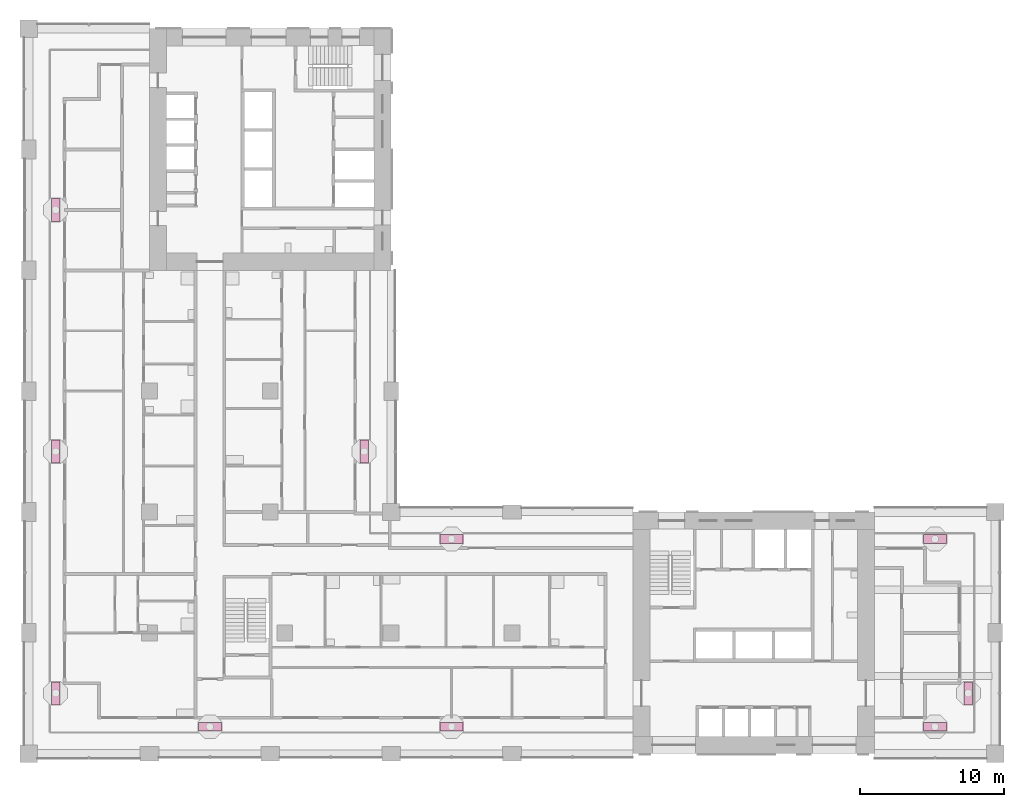
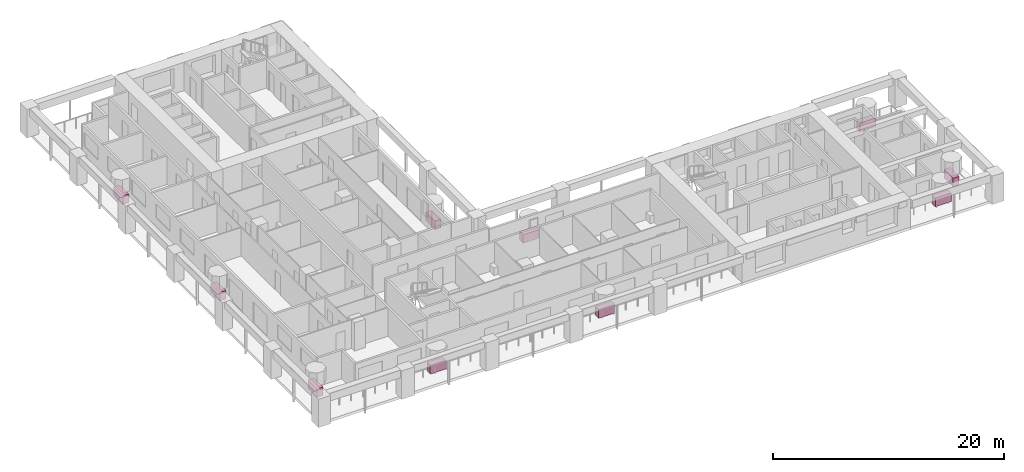
# One storey, part 17 of 18: 10 furniture elements.
"""IFC4 building model written with IfcOpenShell, lengths in metres."""

from ifc_helpers import new_model, si_unit, direction, frame, origin, origin_2d, place, context, subcontext, project, spatial, rectangle, extrude, material, element, save


model = new_model("IFC4")

# Units and contexts
model_context = context("Model", 3, precision=1e-05, world=origin(), true_north=direction((0.0, 1.0)))
body_context = subcontext(model_context, "Body", "Model", "MODEL_VIEW")
ifc_project = project(units=[si_unit("LENGTHUNIT", "METRE"), si_unit("AREAUNIT", "SQUARE_METRE"), si_unit("VOLUMEUNIT", "CUBIC_METRE"), si_unit("PLANEANGLEUNIT", "RADIAN"), si_unit("MASSUNIT", "GRAM", prefix="KILO")], contexts=[model_context])

# Site, building, storey
site_placement = place(None, origin())
site = spatial("IfcSite", under=ifc_project, at=site_placement, CompositionType="ELEMENT")
building_placement = place(site_placement, origin())
building = spatial("IfcBuilding", under=site, at=building_placement, Name="Vermilion Gate Residences", CompositionType="ELEMENT")
storey_placement = place(building_placement, frame((0.0, 0.0, 137.199951171875)))
storey = spatial("IfcBuildingStorey", under=building, at=storey_placement, Name="L35", CompositionType="ELEMENT", Elevation=137.199951171875)

# Furniture
ifc_material = material(Name="Terracotta planter", Category="masonry")
for number, where, z_axis, x_axis, name in (
    (1, (12.60009765625, 10.27490234375, 0.0), (0.0, 0.0, 1.0), (1.0, 0.0, 0.0), "PLANTER"),
    (2, (29.39990234375, 10.27490234375, 0.0), (0.0, 0.0, 1.0), (1.0, 0.0, 0.0), "PLANTER"),
    (3, (63.0, 10.27490234375, 0.0), (0.0, 0.0, 1.0), (1.0, 0.0, 0.0), "PLANTER"),
    (4, (65.324951171875, 12.60009765625, 0.0), (0.0, 0.0, 1.0), (0.0, 1.0, 0.0), "PLANTER"),
    (5, (29.39990234375, 23.324951171875, 0.0), (0.0, 0.0, 1.0), (-1.0, 0.0, 0.0), "PLANTER"),
    (6, (63.0, 23.324951171875, 0.0), (0.0, 0.0, 1.0), (-1.0, 0.0, 0.0), "PLANTER"),
    (7, (23.324951171875, 29.39990234375, 0.0), (0.0, 0.0, 1.0), (0.0, 1.0, 0.0), "PLANTER"),
    (8, (1.875, 12.60009765625, 0.0), (0.0, 0.0, 1.0), (0.0, -1.0, 0.0), "PLANTER"),
    (9, (1.875, 29.39990234375, 0.0), (0.0, 0.0, 1.0), (0.0, -1.0, 0.0), "PLANTER"),
    (10, (1.875, 46.199951171875, 0.0), (0.0, 0.0, 1.0), (0.0, -1.0, 0.0), "PLANTER"),
):
    element("IfcFurniture", number, at=place(storey_placement, frame(where, z_axis=z_axis, x_axis=x_axis)), inside=storey, material=ifc_material, Name=name, ObjectType="PLANTER", PredefinedType="USERDEFINED", context=body_context, shape_type="SweptSolid", body=[
        extrude(rectangle(XDim=1.60009765625, YDim=0.60009765625, at=origin_2d()), origin(), (0.0, 0.0, 1.0), 0.89990234375),
    ])

save(model, "model.ifc")
